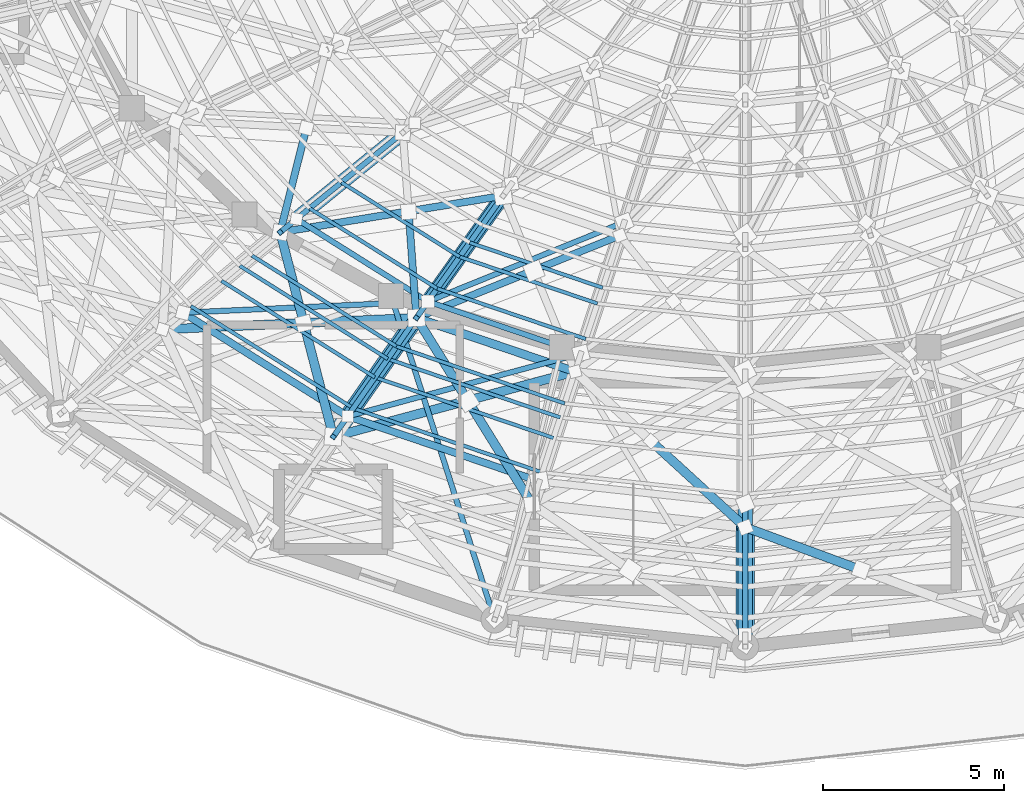
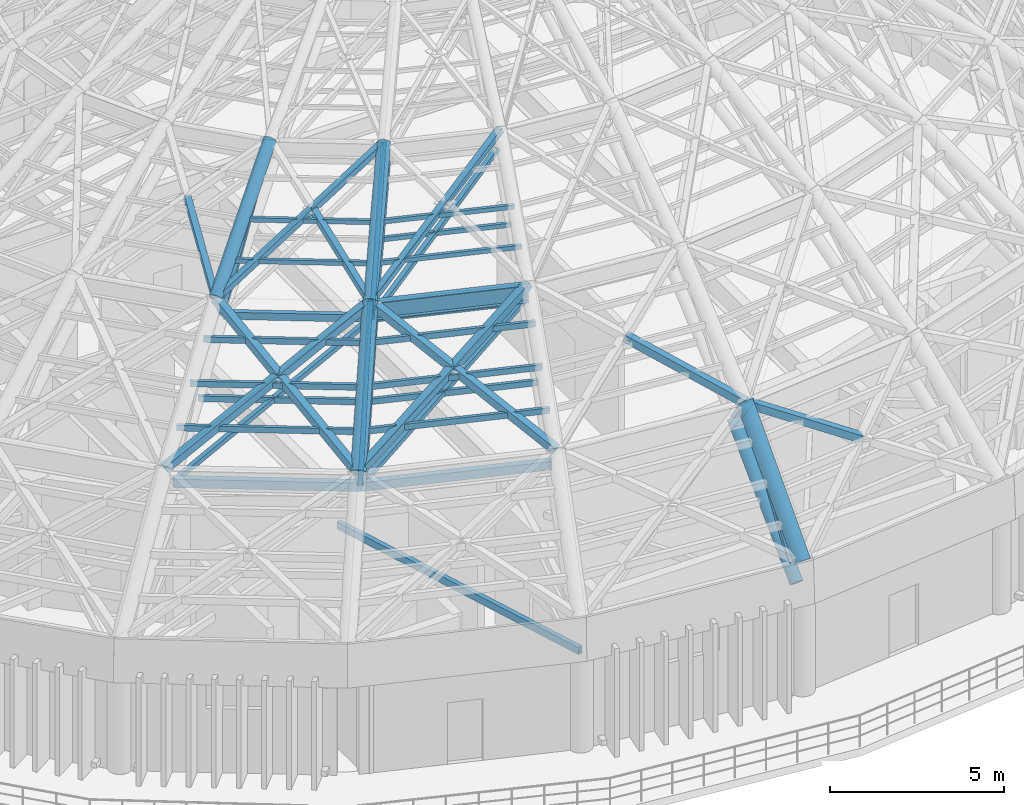
# One storey, part 3 of 50: 48 members, 1 beam.
"""IFC4 building model written with IfcOpenShell, lengths in metres."""

from ifc_helpers import new_model, si_unit, direction, frame, origin, origin_2d, place, context, subcontext, project, spatial, hollow_rectangle, hollow_circle, i_section, extrude, material, material_profile, profile_set, type_object, element, save


model = new_model("IFC4")

# Units and contexts
model_context = context("Model", 3, precision=1e-05, world=origin(), true_north=direction((0.0, 1.0)))
body_context = subcontext(model_context, "Body", "Model", "MODEL_VIEW")
ifc_project = project(units=[si_unit("LENGTHUNIT", "METRE"), si_unit("AREAUNIT", "SQUARE_METRE"), si_unit("VOLUMEUNIT", "CUBIC_METRE"), si_unit("PLANEANGLEUNIT", "RADIAN"), si_unit("MASSUNIT", "GRAM", prefix="KILO")], contexts=[model_context])

# Site, building, storey
site_placement = place(None, origin())
site = spatial("IfcSite", under=ifc_project, at=site_placement, CompositionType="ELEMENT")
building_placement = place(site_placement, origin())
building = spatial("IfcBuilding", under=site, at=building_placement, Name="Cinderbank Siding Concert Hall", CompositionType="ELEMENT")
storey_placement = place(building_placement, frame((0.0, 0.0, 23.699951171875)))
storey = spatial("IfcBuildingStorey", under=building, at=storey_placement, Name="L06", CompositionType="ELEMENT", Elevation=23.699951171875)

# Beam
ifc_material_1 = material(Name="Structural steel AS/NZS 3679.1 Grade 350 (340 MPa)", Category="steel")
ifc_material_profile_1 = material_profile(ifc_material_1, i_section(OverallWidth=0.22900390625, OverallDepth=0.611572265625, WebThickness=0.011962890625, FlangeThickness=0.01953125, at=origin_2d()), Name="610UB125", Category="LoadBearing")
ifc_profile_set_1 = profile_set([ifc_material_profile_1], Name="Structural steel AS/NZS 3679.1 Grade 350 (340 MPa)")
beam_type = type_object("IfcBeamType", Name="BM-UB610H 610UB125", PredefinedType="BEAM", material=ifc_profile_set_1)
beam_placement = place(storey_placement, frame((112.89990234375, 31.09619140625, 10.994140625), z_axis=(0.94703248812, -0.321137768636, 0.0), x_axis=(0.321137768636, 0.94703248812, 0.0)))
element("IfcBeam", 1, at=beam_placement, inside=storey, type_object=beam_type, Name="L06 Beam BM-UB610H #2066", PredefinedType="BEAM", context=body_context, shape_type="SweptSolid", body=[
    extrude(i_section(OverallWidth=0.22900390625, OverallDepth=0.611572265625, WebThickness=0.011962890625, FlangeThickness=0.01953125, at=origin_2d()), origin(), (0.0, 0.0, 1.0), 4.63525390625),
])

# Members
ifc_material_2 = material(Name="Structural steel hollow section AS/NZS 1163 Grade C350L0 (350 MPa)", Category="steel")
ifc_material_profile_2 = material_profile(ifc_material_2, hollow_rectangle(XDim=0.14990234375, YDim=0.14990234375, WallThickness=0.008056640625, at=origin_2d()), Name="150x150x8.0SHS", Category="LoadBearing")
ifc_profile_set_2 = profile_set([ifc_material_profile_2], Name="Structural steel hollow section AS/NZS 1163 Grade C350L0 (350 MPa)")
member_type_1 = type_object("IfcMemberType", Name="BR-SHS150 150x150x8.0SHS Roof Truss", PredefinedType="BRACE", material=ifc_profile_set_2)
member_1_placement = place(storey_placement, frame((122.0, 22.330078125, 3.550048828125), z_axis=(0.0, 0.546596682908, 0.837396003235), x_axis=(-1.0, 0.0, 0.0)))
element("IfcMember", 2, at=member_1_placement, inside=storey, type_object=member_type_1, Name="L06 Diagonal Brace BR-SHS150 #DWBD-BR-SHS150-L06-0746", PredefinedType="BRACE", context=body_context, shape_type="SweptSolid", body=[
    extrude(hollow_rectangle(XDim=0.14990234375, YDim=0.14990234375, WallThickness=0.008056640625, at=origin_2d()), origin(), (0.0, 0.0, 1.0), 5.43359375),
])
member_2_placement = place(storey_placement, frame((106.442138671875, 31.239990234375, 7.150146484375), z_axis=(0.903486566452, 0.041046856906, 0.426646434158), x_axis=(-0.045384804689, 0.998969578868, 0.0)))
element("IfcMember", 3, at=member_2_placement, inside=storey, type_object=member_type_1, Name="L06 Diagonal Brace BR-SHS150 #DBRI-BR-SHS150-L06-1007", PredefinedType="BRACE", context=body_context, shape_type="SweptSolid", body=[
    extrude(hollow_rectangle(XDim=0.14990234375, YDim=0.14990234375, WallThickness=0.008056640625, at=origin_2d()), origin(), (0.0, 0.0, 1.0), 7.500244140625),
])
member_3_placement = place(storey_placement, frame((110.9990234375, 28.3720703125, 7.150146484375), z_axis=(0.357602166858, 0.512474310018, 0.780698899596), x_axis=(-0.820080431066, 0.572248273551, 0.0)))
element("IfcMember", 4, at=member_3_placement, inside=storey, type_object=member_type_1, Name="L06 Diagonal Brace BR-SHS150 #DWBD-BR-SHS150-L06-1010", PredefinedType="BRACE", context=body_context, shape_type="SweptSolid", body=[
    extrude(hollow_rectangle(XDim=0.14990234375, YDim=0.14990234375, WallThickness=0.008056640625, at=origin_2d()), origin(), (0.0, 0.0, 1.0), 5.315673828125),
])
member_4_placement = place(storey_placement, frame((110.9990234375, 28.3720703125, 7.150146484375), z_axis=(-0.339263613147, -0.481903822592, 0.807879264845), x_axis=(0.817689723115, -0.575659201883, 0.0)))
element("IfcMember", 5, at=member_4_placement, inside=storey, type_object=member_type_1, Name="L06 Diagonal Brace BR-SHS150 #DWBV-BR-SHS150-L06-1013", PredefinedType="BRACE", context=body_context, shape_type="SweptSolid", body=[
    extrude(hollow_rectangle(XDim=0.14990234375, YDim=0.14990234375, WallThickness=0.008056640625, at=origin_2d()), origin(), (0.0, 0.0, 1.0), 1.17578125),
])
member_5_placement = place(storey_placement, frame((110.9990234375, 28.3720703125, 7.150146484375), z_axis=(0.870943219989, 0.234658276888, 0.431733020098), x_axis=(-0.260152884743, 0.965567437603, 0.0)))
element("IfcMember", 6, at=member_5_placement, inside=storey, type_object=member_type_1, Name="L06 Diagonal Brace BR-SHS150 #DBRI-BR-SHS150-L06-1019", PredefinedType="BRACE", context=body_context, shape_type="SweptSolid", body=[
    extrude(hollow_rectangle(XDim=0.14990234375, YDim=0.14990234375, WallThickness=0.008056640625, at=origin_2d()), origin(), (0.0, 0.0, 1.0), 7.411865234375),
])
member_6_placement = place(storey_placement, frame((122.0, 25.95458984375, 7.150146484375), z_axis=(0.0, -0.567381778042, 0.823454866976), x_axis=(1.0, 0.0, 0.0)))
element("IfcMember", 7, at=member_6_placement, inside=storey, type_object=member_type_1, Name="L06 Diagonal Brace BR-SHS150 #DWBV-BR-SHS150-L06-1037", PredefinedType="BRACE", context=body_context, shape_type="SweptSolid", body=[
    extrude(hollow_rectangle(XDim=0.14990234375, YDim=0.14990234375, WallThickness=0.008056640625, at=origin_2d()), origin(), (0.0, 0.0, 1.0), 1.153564453125),
])
member_7_placement = place(storey_placement, frame((109.5810546875, 33.8330078125, 10.35009765625), z_axis=(0.559402260271, 0.45390543328, 0.693569728898), x_axis=(-0.630083355632, 0.776527504314, 0.0)))
element("IfcMember", 8, at=member_7_placement, inside=storey, type_object=member_type_1, Name="L06 Diagonal Brace BR-SHS150 #DWBD-BR-SHS150-L06-1286", PredefinedType="BRACE", context=body_context, shape_type="SweptSolid", body=[
    extrude(hollow_rectangle(XDim=0.14990234375, YDim=0.14990234375, WallThickness=0.008056640625, at=origin_2d()), origin(), (0.0, 0.0, 1.0), 5.262451171875),
])
member_8_placement = place(storey_placement, frame((109.5810546875, 33.8330078125, 10.35009765625), z_axis=(-0.404280440723, -0.331093629232, 0.852604441655), x_axis=(0.633603073906, -0.773658286801, 0.0)))
element("IfcMember", 9, at=member_8_placement, inside=storey, type_object=member_type_1, Name="L06 Diagonal Brace BR-SHS150 #DWBV-BR-SHS150-L06-1289", PredefinedType="BRACE", context=body_context, shape_type="SweptSolid", body=[
    extrude(hollow_rectangle(XDim=0.14990234375, YDim=0.14990234375, WallThickness=0.008056640625, at=origin_2d()), origin(), (0.0, 0.0, 1.0), 1.1142578125),
])
member_9_placement = place(storey_placement, frame((113.218505859375, 31.5478515625, 10.35009765625), z_axis=(0.406548227024, 0.57143724521, 0.712866056065), x_axis=(-0.814825428758, 0.579706409011, 0.0)))
element("IfcMember", 10, at=member_9_placement, inside=storey, type_object=member_type_1, Name="L06 Diagonal Brace BR-SHS150 #DWBD-BR-SHS150-L06-1298", PredefinedType="BRACE", context=body_context, shape_type="SweptSolid", body=[
    extrude(hollow_rectangle(XDim=0.14990234375, YDim=0.14990234375, WallThickness=0.008056640625, at=origin_2d()), origin(), (0.0, 0.0, 1.0), 5.1201171875),
])
member_10_placement = place(storey_placement, frame((113.218505859375, 31.5478515625, 10.35009765625), z_axis=(-0.289889748337, -0.41095481565, 0.864337939294), x_axis=(0.817151439928, -0.57642304276, 0.0)))
element("IfcMember", 11, at=member_10_placement, inside=storey, type_object=member_type_1, Name="L06 Diagonal Brace BR-SHS150 #DWBV-BR-SHS150-L06-1301", PredefinedType="BRACE", context=body_context, shape_type="SweptSolid", body=[
    extrude(hollow_rectangle(XDim=0.14990234375, YDim=0.14990234375, WallThickness=0.008056640625, at=origin_2d()), origin(), (0.0, 0.0, 1.0), 1.09912109375),
])
member_11_placement = place(storey_placement, frame((113.218505859375, 31.5478515625, 10.35009765625), z_axis=(0.842011454203, 0.340647552066, 0.418301274517), x_axis=(-0.375035146546, 0.927010592634, 0.0)))
element("IfcMember", 12, at=member_11_placement, inside=storey, type_object=member_type_1, Name="L06 Diagonal Brace BR-SHS150 #DBRI-BR-SHS150-L06-1307", PredefinedType="BRACE", context=body_context, shape_type="SweptSolid", body=[
    extrude(hollow_rectangle(XDim=0.14990234375, YDim=0.14990234375, WallThickness=0.008056640625, at=origin_2d()), origin(), (0.0, 0.0, 1.0), 6.45458984375),
])
ifc_material_profile_3 = material_profile(ifc_material_2, hollow_rectangle(XDim=0.199951171875, YDim=0.199951171875, WallThickness=0.009033203125, at=origin_2d()), Name="200x200x9.0SHS", Category="LoadBearing")
ifc_profile_set_3 = profile_set([ifc_material_profile_3], Name="Structural steel hollow section AS/NZS 1163 Grade C350L0 (350 MPa)")
member_type_2 = type_object("IfcMemberType", Name="BR-SHS200 200x200x9.0SHS Roof Truss", PredefinedType="BRACE", material=ifc_profile_set_3)
member_12_placement = place(storey_placement, frame((109.130615234375, 33.464111328125, 11.300048828125), z_axis=(0.21609386443, 0.860515338134, 0.461320706876), x_axis=(-0.969886034318, 0.243559192875, 0.0)))
element("IfcMember", 13, at=member_12_placement, inside=storey, type_object=member_type_2, Name="L06 Diagonal Brace BR-SHS200 #DBRO-BR-SHS200-L06-1282", PredefinedType="BRACE", context=body_context, shape_type="SweptSolid", body=[
    extrude(hollow_rectangle(XDim=0.199951171875, YDim=0.199951171875, WallThickness=0.009033203125, at=origin_2d()), origin(), (0.0, 0.0, 1.0), 3.35205078125),
])
member_13_placement = place(storey_placement, frame((109.130615234375, 33.464111328125, 11.300048828125), z_axis=(0.905989343653, 0.148249542382, 0.396491339591), x_axis=(-0.161485110402, 0.986875148698, 0.0)))
element("IfcMember", 14, at=member_13_placement, inside=storey, type_object=member_type_2, Name="L06 Diagonal Brace BR-SHS200 #DBRO-BR-SHS200-L06-1293", PredefinedType="BRACE", context=body_context, shape_type="SweptSolid", body=[
    extrude(hollow_rectangle(XDim=0.199951171875, YDim=0.199951171875, WallThickness=0.009033203125, at=origin_2d()), origin(), (0.0, 0.0, 1.0), 6.8095703125),
])
member_14_placement = place(storey_placement, frame((112.89990234375, 31.09619140625, 11.300048828125), z_axis=(-0.064591416256, 0.882920620616, 0.465058197043), x_axis=(-0.997334753745, -0.072961558176, 0.0)))
element("IfcMember", 15, at=member_14_placement, inside=storey, type_object=member_type_2, Name="L06 Diagonal Brace BR-SHS200 #DBRO-BR-SHS200-L06-1294", PredefinedType="BRACE", context=body_context, shape_type="SweptSolid", body=[
    extrude(hollow_rectangle(XDim=0.199951171875, YDim=0.199951171875, WallThickness=0.009033203125, at=origin_2d()), origin(), (0.0, 0.0, 1.0), 3.326171875),
])
member_15_placement = place(storey_placement, frame((112.89990234375, 31.09619140625, 11.300048828125), z_axis=(0.84711611979, 0.342731695249, 0.406114841718), x_axis=(-0.375052994195, 0.927003371917, 0.0)))
element("IfcMember", 16, at=member_15_placement, inside=storey, type_object=member_type_2, Name="L06 Diagonal Brace BR-SHS200 #DBRO-BR-SHS200-L06-1305", PredefinedType="BRACE", context=body_context, shape_type="SweptSolid", body=[
    extrude(hollow_rectangle(XDim=0.199951171875, YDim=0.199951171875, WallThickness=0.009033203125, at=origin_2d()), origin(), (0.0, 0.0, 1.0), 6.648193359375),
])
ifc_material_profile_4 = material_profile(ifc_material_2, hollow_rectangle(XDim=0.25, YDim=0.25, WallThickness=0.010009765625, at=origin_2d()), Name="250x250x10.0SHS", Category="LoadBearing")
ifc_profile_set_4 = profile_set([ifc_material_profile_4], Name="Structural steel hollow section AS/NZS 1163 Grade C350L0 (350 MPa)")
member_type_3 = type_object("IfcMemberType", Name="BR-SHS250 250x250x10.0SHS Roof Truss", PredefinedType="BRACE", material=ifc_profile_set_4)
member_16_placement = place(storey_placement, frame((125.176025390625, 24.13232421875, 6.45166015625), z_axis=(-0.843778989622, 0.310230986806, 0.437942634939), x_axis=(-0.345083403206, -0.938572024318, 0.0)))
element("IfcMember", 17, at=member_16_placement, inside=storey, type_object=member_type_3, Name="L06 Diagonal Brace BR-SHS250 #DBRO-BR-SHS250-L06-0754-S75", PredefinedType="BRACE", context=body_context, shape_type="SweptSolid", body=[
    extrude(hollow_rectangle(XDim=0.25, YDim=0.25, WallThickness=0.010009765625, at=origin_2d()), origin(), (0.0, 0.0, 1.0), 3.76416015625),
])
member_17_placement = place(storey_placement, frame((105.8779296875, 30.777099609375, 8.10009765625), z_axis=(0.909191444617, 0.041315388989, 0.414323491572), x_axis=(-0.045395057045, 0.998969113034, 0.0)))
element("IfcMember", 18, at=member_17_placement, inside=storey, type_object=member_type_3, Name="L06 Diagonal Brace BR-SHS250 #DBRO-BR-SHS250-L06-1005", PredefinedType="BRACE", context=body_context, shape_type="SweptSolid", body=[
    extrude(hollow_rectangle(XDim=0.25, YDim=0.25, WallThickness=0.010009765625, at=origin_2d()), origin(), (0.0, 0.0, 1.0), 7.723388671875),
])
member_18_placement = place(storey_placement, frame((110.60009765625, 27.805419921875, 8.10009765625), z_axis=(-0.220459199995, 0.849048864989, 0.480118491624), x_axis=(-0.967903941428, -0.25132043325, 0.0)))
element("IfcMember", 19, at=member_18_placement, inside=storey, type_object=member_type_3, Name="L06 Diagonal Brace BR-SHS250 #DBRO-BR-SHS250-L06-1006", PredefinedType="BRACE", context=body_context, shape_type="SweptSolid", body=[
    extrude(hollow_rectangle(XDim=0.25, YDim=0.25, WallThickness=0.010009765625, at=origin_2d()), origin(), (0.0, 0.0, 1.0), 3.693359375),
])
member_19_placement = place(storey_placement, frame((109.779296875, 30.966552734375, 9.8876953125), z_axis=(-0.220515942132, 0.849032024093, 0.480122214993), x_axis=(-0.967886991631, -0.251385702519, 0.0)))
element("IfcMember", 20, at=member_19_placement, inside=storey, type_object=member_type_3, Name="L06 Diagonal Brace BR-SHS250 #DBRO-BR-SHS250-L06-1006-S96", PredefinedType="BRACE", context=body_context, shape_type="SweptSolid", body=[
    extrude(hollow_rectangle(XDim=0.25, YDim=0.25, WallThickness=0.010009765625, at=origin_2d()), origin(), (0.0, 0.0, 1.0), 2.941650390625),
])
member_20_placement = place(storey_placement, frame((110.60009765625, 27.805419921875, 8.10009765625), z_axis=(0.87658241106, 0.236165378045, 0.419319914663), x_axis=(-0.260140287544, 0.965570831579, 0.0)))
element("IfcMember", 21, at=member_20_placement, inside=storey, type_object=member_type_3, Name="L06 Diagonal Brace BR-SHS250 #DBRO-BR-SHS250-L06-1017", PredefinedType="BRACE", context=body_context, shape_type="SweptSolid", body=[
    extrude(hollow_rectangle(XDim=0.25, YDim=0.25, WallThickness=0.010009765625, at=origin_2d()), origin(), (0.0, 0.0, 1.0), 7.63134765625),
])
member_21_placement = place(storey_placement, frame((116.098876953125, 25.937255859375, 8.10009765625), z_axis=(-0.466188429807, 0.751809109667, 0.466316856372), x_axis=(-0.849868880938, -0.526994198463, 0.0)))
element("IfcMember", 22, at=member_21_placement, inside=storey, type_object=member_type_3, Name="L06 Diagonal Brace BR-SHS250 #DBRO-BR-SHS250-L06-1018", PredefinedType="BRACE", context=body_context, shape_type="SweptSolid", body=[
    extrude(hollow_rectangle(XDim=0.25, YDim=0.25, WallThickness=0.010009765625, at=origin_2d()), origin(), (0.0, 0.0, 1.0), 3.802001953125),
])
member_22_placement = place(storey_placement, frame((114.3125, 28.818115234375, 9.886962890625), z_axis=(-0.466179092517, 0.751800399634, 0.466340232888), x_axis=(-0.849870873879, -0.526990984489, 0.0)))
element("IfcMember", 23, at=member_22_placement, inside=storey, type_object=member_type_3, Name="L06 Diagonal Brace BR-SHS250 #DBRO-BR-SHS250-L06-1018-S97", PredefinedType="BRACE", context=body_context, shape_type="SweptSolid", body=[
    extrude(hollow_rectangle(XDim=0.25, YDim=0.25, WallThickness=0.010009765625, at=origin_2d()), origin(), (0.0, 0.0, 1.0), 3.0302734375),
])
member_23_placement = place(storey_placement, frame((122.0, 25.300048828125, 8.10009765625), z_axis=(-0.659696938246, 0.603292541468, 0.448149594531), x_axis=(-0.674855139441, -0.737950229196, 0.0)))
element("IfcMember", 24, at=member_23_placement, inside=storey, type_object=member_type_3, Name="L06 Diagonal Brace BR-SHS250 #DBRO-BR-SHS250-L06-1030", PredefinedType="BRACE", context=body_context, shape_type="SweptSolid", body=[
    extrude(hollow_rectangle(XDim=0.25, YDim=0.25, WallThickness=0.010009765625, at=origin_2d()), origin(), (0.0, 0.0, 1.0), 3.9560546875),
])
ifc_material_profile_5 = material_profile(ifc_material_2, hollow_circle(Radius=0.161865234375, WallThickness=0.0126953125, at=origin_2d()), Name="323.9x12.7CHS", Category="LoadBearing")
ifc_profile_set_5 = profile_set([ifc_material_profile_5], Name="Structural steel hollow section AS/NZS 1163 Grade C350L0 (350 MPa)")
member_type_4 = type_object("IfcMemberType", Name="DR-CHS323 323.9x12.7CHS Roof Truss", PredefinedType="RAFTER", material=ifc_profile_set_5)
member_24_placement = place(storey_placement, frame((113.218505859375, 31.5478515625, 10.35009765625), z_axis=(0.480029640001, 0.675563535105, 0.55962974792), x_axis=(-0.815166751467, 0.57922635239, 0.0)))
element("IfcMember", 25, at=member_24_placement, inside=storey, type_object=member_type_4, Name="L06 Roof Truss Member DR-CHS323 #1297", PredefinedType="RAFTER", context=body_context, shape_type="SweptSolid", body=[
    extrude(hollow_circle(Radius=0.161865234375, WallThickness=0.0126953125, at=origin_2d()), origin(), (0.0, 0.0, 1.0), 4.824462890625),
])
ifc_material_profile_6 = material_profile(ifc_material_2, hollow_circle(Radius=0.177734375, WallThickness=0.0126953125, at=origin_2d()), Name="355.6x12.7CHS", Category="LoadBearing")
ifc_profile_set_6 = profile_set([ifc_material_profile_6], Name="Structural steel hollow section AS/NZS 1163 Grade C350L0 (350 MPa)")
member_type_5 = type_object("IfcMemberType", Name="DR-CHS355 355.6x12.7CHS Roof Truss", PredefinedType="RAFTER", material=ifc_profile_set_6)
member_25_placement = place(storey_placement, frame((110.9990234375, 28.3720703125, 7.150146484375), z_axis=(0.441681473621, 0.631986867107, 0.636796730256), x_axis=(-0.819663892962, 0.572844745612, 0.0)))
element("IfcMember", 26, at=member_25_placement, inside=storey, type_object=member_type_5, Name="L06 Roof Truss Member DR-CHS355 #1009", PredefinedType="RAFTER", context=body_context, shape_type="SweptSolid", body=[
    extrude(hollow_circle(Radius=0.177734375, WallThickness=0.0126953125, at=origin_2d()), origin(), (0.0, 0.0, 1.0), 5.025146484375),
])
ifc_material_profile_7 = material_profile(ifc_material_2, hollow_circle(Radius=0.203125, WallThickness=0.01611328125, at=origin_2d()), Name="406.4x16.0CHS", Category="LoadBearing")
ifc_profile_set_7 = profile_set([ifc_material_profile_7], Name="Structural steel hollow section AS/NZS 1163 Grade C350L0 (350 MPa)")
member_type_6 = type_object("IfcMemberType", Name="DR-CHS406 406.4x16.0CHS Roof Truss", PredefinedType="RAFTER", material=ifc_profile_set_7)
member_26_placement = place(storey_placement, frame((122.0, 22.330078125, 3.550048828125), z_axis=(0.0, 0.709492250212, 0.704713237345), x_axis=(-1.0, 0.0, 0.0)))
element("IfcMember", 27, at=member_26_placement, inside=storey, type_object=member_type_6, Name="L06 Roof Truss Member DR-CHS406 #745", PredefinedType="RAFTER", context=body_context, shape_type="SweptSolid", body=[
    extrude(hollow_circle(Radius=0.203125, WallThickness=0.01611328125, at=origin_2d()), origin(), (0.0, 0.0, 1.0), 5.108642578125),
])
member_27_placement = place(storey_placement, frame((109.130615234375, 33.464111328125, 11.300048828125), z_axis=(0.66042333152, 0.536537547977, 0.525327024619), x_axis=(-0.630552692376, 0.776146443745, 0.0)))
element("IfcMember", 28, at=member_27_placement, inside=storey, type_object=member_type_6, Name="L06 Roof Truss Member DR-CHS406 #1284", PredefinedType="RAFTER", context=body_context, shape_type="SweptSolid", body=[
    extrude(hollow_circle(Radius=0.203125, WallThickness=0.01611328125, at=origin_2d()), origin(), (0.0, 0.0, 1.0), 5.1396484375),
])
member_28_placement = place(storey_placement, frame((112.89990234375, 31.09619140625, 11.300048828125), z_axis=(0.485323447255, 0.682938111008, 0.545945682351), x_axis=(-0.815136478284, 0.579268954606, 0.0)))
element("IfcMember", 29, at=member_28_placement, inside=storey, type_object=member_type_6, Name="L06 Roof Truss Member DR-CHS406 #1296", PredefinedType="RAFTER", context=body_context, shape_type="SweptSolid", body=[
    extrude(hollow_circle(Radius=0.203125, WallThickness=0.01611328125, at=origin_2d()), origin(), (0.0, 0.0, 1.0), 4.945556640625),
])
ifc_material_profile_8 = material_profile(ifc_material_2, hollow_circle(Radius=0.228515625, WallThickness=0.01611328125, at=origin_2d()), Name="457.0x16.0CHS", Category="LoadBearing")
ifc_profile_set_8 = profile_set([ifc_material_profile_8], Name="Structural steel hollow section AS/NZS 1163 Grade C350L0 (350 MPa)")
member_type_7 = type_object("IfcMemberType", Name="DR-CHS457 457.0x16.0CHS Roof Truss", PredefinedType="RAFTER", material=ifc_profile_set_8)
member_29_placement = place(storey_placement, frame((110.60009765625, 27.805419921875, 8.10009765625), z_axis=(0.447955638563, 0.640976014033, 0.623286046141), x_axis=(-0.819668785682, 0.572837744723, 0.0)))
element("IfcMember", 30, at=member_29_placement, inside=storey, type_object=member_type_7, Name="L06 Roof Truss Member DR-CHS457 #1008", PredefinedType="RAFTER", context=body_context, shape_type="SweptSolid", body=[
    extrude(hollow_circle(Radius=0.228515625, WallThickness=0.01611328125, at=origin_2d()), origin(), (0.0, 0.0, 1.0), 5.134033203125),
])
ifc_material_profile_9 = material_profile(ifc_material_2, hollow_circle(Radius=0.25390625, WallThickness=0.01611328125, at=origin_2d()), Name="508.0x16.0CHS", Category="LoadBearing")
ifc_profile_set_9 = profile_set([ifc_material_profile_9], Name="Structural steel hollow section AS/NZS 1163 Grade C350L0 (350 MPa)")
member_type_8 = type_object("IfcMemberType", Name="DR-CHS508 508.0x16.0CHS Roof Truss", PredefinedType="RAFTER", material=ifc_profile_set_9)
member_30_placement = place(storey_placement, frame((122.0, 22.0, 4.5), z_axis=(0.0, 0.675720101073, 0.737158290332), x_axis=(-1.0, 0.0, 0.0)))
element("IfcMember", 31, at=member_30_placement, inside=storey, type_object=member_type_8, Name="L06 Roof Truss Member DR-CHS508 #744", PredefinedType="RAFTER", context=body_context, shape_type="SweptSolid", body=[
    extrude(hollow_circle(Radius=0.25390625, WallThickness=0.01611328125, at=origin_2d()), origin(), (0.0, 0.0, 1.0), 4.8837890625),
])
ifc_material_profile_10 = material_profile(ifc_material_2, hollow_rectangle(XDim=0.10009765625, YDim=0.14990234375, WallThickness=0.006103515625, at=origin_2d()), Name="150x100x6.0RHS", Category="LoadBearing")
ifc_profile_set_10 = profile_set([ifc_material_profile_10], Name="Structural steel hollow section AS/NZS 1163 Grade C350L0 (350 MPa)")
member_type_9 = type_object("IfcMemberType", Name="PR-RHS150 150x100x6.0RHS Roof Truss", PredefinedType="PURLIN", material=ifc_profile_set_10)
member_31_placement = place(storey_placement, frame((109.9453125, 34.1259765625, 11.947998046875), z_axis=(0.84664709978, -0.532154759853, 0.0), x_axis=(0.532154759853, 0.84664709978, 0.0)))
element("IfcMember", 32, at=member_31_placement, inside=storey, type_object=member_type_9, Name="L06 Roof Truss Member PR-RHS150 #1290", PredefinedType="PURLIN", context=body_context, shape_type="SweptSolid", body=[
    extrude(hollow_rectangle(XDim=0.10009765625, YDim=0.14990234375, WallThickness=0.006103515625, at=origin_2d()), origin(), (0.0, 0.0, 1.0), 4.170166015625),
])
member_32_placement = place(storey_placement, frame((110.827880859375, 34.843017578125, 12.650146484375), z_axis=(0.8464869209, -0.532409516018, 0.0), x_axis=(0.532409516018, 0.8464869209, 0.0)))
element("IfcMember", 33, at=member_32_placement, inside=storey, type_object=member_type_9, Name="L06 Roof Truss Member PR-RHS150 #1291", PredefinedType="PURLIN", context=body_context, shape_type="SweptSolid", body=[
    extrude(hollow_rectangle(XDim=0.10009765625, YDim=0.14990234375, WallThickness=0.006103515625, at=origin_2d()), origin(), (0.0, 0.0, 1.0), 3.86572265625),
])
member_33_placement = place(storey_placement, frame((114.37646484375, 33.177490234375, 11.699951171875), z_axis=(0.946908313613, -0.321503725655, 0.0), x_axis=(0.321503725655, 0.946908313613, 0.0)))
element("IfcMember", 34, at=member_33_placement, inside=storey, type_object=member_type_9, Name="L06 Roof Truss Member PR-RHS150 #1300", PredefinedType="PURLIN", context=body_context, shape_type="SweptSolid", body=[
    extrude(hollow_rectangle(XDim=0.10009765625, YDim=0.14990234375, WallThickness=0.006103515625, at=origin_2d()), origin(), (0.0, 0.0, 1.0), 3.883544921875),
])
member_34_placement = place(storey_placement, frame((113.47607421875, 31.90673828125, 11.947998046875), z_axis=(0.94697717274, -0.321300847042, 0.0), x_axis=(0.321300847042, 0.94697717274, 0.0)))
element("IfcMember", 35, at=member_34_placement, inside=storey, type_object=member_type_9, Name="L06 Roof Truss Member PR-RHS150 #1302", PredefinedType="PURLIN", context=body_context, shape_type="SweptSolid", body=[
    extrude(hollow_rectangle(XDim=0.10009765625, YDim=0.14990234375, WallThickness=0.006103515625, at=origin_2d()), origin(), (0.0, 0.0, 1.0), 4.341796875),
])
member_35_placement = place(storey_placement, frame((114.10009765625, 32.784912109375, 12.650146484375), z_axis=(0.946915393689, -0.321482872319, 0.0), x_axis=(0.321482872319, 0.946915393689, 0.0)))
element("IfcMember", 36, at=member_35_placement, inside=storey, type_object=member_type_9, Name="L06 Roof Truss Member PR-RHS150 #1303", PredefinedType="PURLIN", context=body_context, shape_type="SweptSolid", body=[
    extrude(hollow_rectangle(XDim=0.10009765625, YDim=0.14990234375, WallThickness=0.006103515625, at=origin_2d()), origin(), (0.0, 0.0, 1.0), 4.024169921875),
])
ifc_material_profile_11 = material_profile(ifc_material_2, hollow_rectangle(XDim=0.10009765625, YDim=0.199951171875, WallThickness=0.008056640625, at=origin_2d()), Name="200x100x8.0RHS", Category="LoadBearing")
ifc_profile_set_11 = profile_set([ifc_material_profile_11], Name="Structural steel hollow section AS/NZS 1163 Grade C350L0 (350 MPa)")
member_type_10 = type_object("IfcMemberType", Name="PR-RHS200 200x100x8.0RHS Roof Truss", PredefinedType="PURLIN", material=ifc_profile_set_11)
member_36_placement = place(storey_placement, frame((108.01171875, 32.536376953125, 8.75), z_axis=(0.846538481915, -0.532327529475, 0.0), x_axis=(0.532327529475, 0.846538481915, 0.0)))
element("IfcMember", 37, at=member_36_placement, inside=storey, type_object=member_type_10, Name="L06 Roof Truss Member PR-RHS200 #1000", PredefinedType="PURLIN", context=body_context, shape_type="SweptSolid", body=[
    extrude(hollow_rectangle(XDim=0.10009765625, YDim=0.199951171875, WallThickness=0.008056640625, at=origin_2d()), origin(), (0.0, 0.0, 1.0), 4.83984375),
])
member_37_placement = place(storey_placement, frame((106.65869140625, 31.422119140625, 8.8681640625), z_axis=(0.846426317262, -0.532505858602, 0.0), x_axis=(0.532505858602, 0.846426317262, 0.0)))
element("IfcMember", 38, at=member_37_placement, inside=storey, type_object=member_type_10, Name="L06 Roof Truss Member PR-RHS200 #1002", PredefinedType="PURLIN", context=body_context, shape_type="SweptSolid", body=[
    extrude(hollow_rectangle(XDim=0.10009765625, YDim=0.199951171875, WallThickness=0.008056640625, at=origin_2d()), origin(), (0.0, 0.0, 1.0), 5.30859375),
])
member_38_placement = place(storey_placement, frame((107.50439453125, 32.12060546875, 9.699951171875), z_axis=(0.846523734458, -0.532350981026, 0.0), x_axis=(0.532350981026, 0.846523734458, 0.0)))
element("IfcMember", 39, at=member_38_placement, inside=storey, type_object=member_type_10, Name="L06 Roof Truss Member PR-RHS200 #1003", PredefinedType="PURLIN", context=body_context, shape_type="SweptSolid", body=[
    extrude(hollow_rectangle(XDim=0.10009765625, YDim=0.199951171875, WallThickness=0.008056640625, at=origin_2d()), origin(), (0.0, 0.0, 1.0), 5.015380859375),
])
member_39_placement = place(storey_placement, frame((108.35009765625, 32.819091796875, 10.531982421875), z_axis=(0.846656516305, -0.532139778065, 0.0), x_axis=(0.532139778065, 0.846656516305, 0.0)))
element("IfcMember", 40, at=member_39_placement, inside=storey, type_object=member_type_10, Name="L06 Roof Truss Member PR-RHS200 #1004", PredefinedType="PURLIN", context=body_context, shape_type="SweptSolid", body=[
    extrude(hollow_rectangle(XDim=0.10009765625, YDim=0.199951171875, WallThickness=0.008056640625, at=origin_2d()), origin(), (0.0, 0.0, 1.0), 4.721923828125),
])
member_40_placement = place(storey_placement, frame((112.10888671875, 29.9599609375, 8.75), z_axis=(0.94692445284, -0.321456187705, 0.0), x_axis=(0.321456187705, 0.94692445284, 0.0)))
element("IfcMember", 41, at=member_40_placement, inside=storey, type_object=member_type_10, Name="L06 Roof Truss Member PR-RHS200 #1012", PredefinedType="PURLIN", context=body_context, shape_type="SweptSolid", body=[
    extrude(hollow_rectangle(XDim=0.10009765625, YDim=0.199951171875, WallThickness=0.008056640625, at=origin_2d()), origin(), (0.0, 0.0, 1.0), 5.038330078125),
])
member_41_placement = place(storey_placement, frame((111.152099609375, 28.59521484375, 8.8681640625), z_axis=(0.946878796549, -0.321590647634, 0.0), x_axis=(0.321590647634, 0.946878796549, 0.0)))
element("IfcMember", 42, at=member_41_placement, inside=storey, type_object=member_type_10, Name="L06 Roof Truss Member PR-RHS200 #1014", PredefinedType="PURLIN", context=body_context, shape_type="SweptSolid", body=[
    extrude(hollow_rectangle(XDim=0.10009765625, YDim=0.199951171875, WallThickness=0.008056640625, at=origin_2d()), origin(), (0.0, 0.0, 1.0), 5.52587890625),
])
member_42_placement = place(storey_placement, frame((111.75, 29.45068359375, 9.699951171875), z_axis=(0.946934231259, -0.321427381644, 0.0), x_axis=(0.321427381644, 0.946934231259, 0.0)))
element("IfcMember", 43, at=member_42_placement, inside=storey, type_object=member_type_10, Name="L06 Roof Truss Member PR-RHS200 #1015", PredefinedType="PURLIN", context=body_context, shape_type="SweptSolid", body=[
    extrude(hollow_rectangle(XDim=0.10009765625, YDim=0.199951171875, WallThickness=0.008056640625, at=origin_2d()), origin(), (0.0, 0.0, 1.0), 5.22119140625),
])
member_43_placement = place(storey_placement, frame((112.347900390625, 30.306396484375, 10.531982421875), z_axis=(0.946986523989, -0.321273284579, 0.0), x_axis=(0.321273284579, 0.946986523989, 0.0)))
element("IfcMember", 44, at=member_43_placement, inside=storey, type_object=member_type_10, Name="L06 Roof Truss Member PR-RHS200 #1016", PredefinedType="PURLIN", context=body_context, shape_type="SweptSolid", body=[
    extrude(hollow_rectangle(XDim=0.10009765625, YDim=0.199951171875, WallThickness=0.008056640625, at=origin_2d()), origin(), (0.0, 0.0, 1.0), 4.916748046875),
])
ifc_material_profile_12 = material_profile(ifc_material_2, hollow_rectangle(XDim=0.14990234375, YDim=0.25, WallThickness=0.009033203125, at=origin_2d()), Name="250x150x9.0RHS", Category="LoadBearing")
ifc_profile_set_12 = profile_set([ifc_material_profile_12], Name="Structural steel hollow section AS/NZS 1163 Grade C350L0 (350 MPa)")
member_type_11 = type_object("IfcMemberType", Name="PR-RHS250 250x150x9.0RHS Roof Truss", PredefinedType="PURLIN", material=ifc_profile_set_12)
member_44_placement = place(storey_placement, frame((109.5810546875, 33.8330078125, 10.35009765625), z_axis=(0.846766752739, -0.531964346979, 0.0), x_axis=(0.531964346979, 0.846766752739, 0.0)))
element("IfcMember", 45, at=member_44_placement, inside=storey, type_object=member_type_11, Name="L06 Roof Truss Member PR-RHS250 #999", PredefinedType="PURLIN", context=body_context, shape_type="SweptSolid", body=[
    extrude(hollow_rectangle(XDim=0.14990234375, YDim=0.25, WallThickness=0.009033203125, at=origin_2d()), origin(), (0.0, 0.0, 1.0), 4.295654296875),
])
member_45_placement = place(storey_placement, frame((113.218505859375, 31.5478515625, 10.35009765625), z_axis=(0.947021990072, -0.321168725625, 0.0), x_axis=(0.321168725625, 0.947021990072, 0.0)))
element("IfcMember", 46, at=member_45_placement, inside=storey, type_object=member_type_11, Name="L06 Roof Truss Member PR-RHS250 #1011", PredefinedType="PURLIN", context=body_context, shape_type="SweptSolid", body=[
    extrude(hollow_rectangle(XDim=0.14990234375, YDim=0.25, WallThickness=0.009033203125, at=origin_2d()), origin(), (0.0, 0.0, 1.0), 4.472900390625),
])
ifc_material_profile_13 = material_profile(ifc_material_2, hollow_rectangle(XDim=0.199951171875, YDim=0.300048828125, WallThickness=0.010009765625, at=origin_2d()), Name="300x200x10.0RHS", Category="LoadBearing")
ifc_profile_set_13 = profile_set([ifc_material_profile_13], Name="Structural steel hollow section AS/NZS 1163 Grade C350L0 (350 MPa)")
member_type_12 = type_object("IfcMemberType", Name="PR-RHS300 300x200x10.0RHS Roof Truss", PredefinedType="PURLIN", material=ifc_profile_set_13)
member_46_placement = place(storey_placement, frame((106.442138671875, 31.239990234375, 7.150146484375), z_axis=(0.846335804731, -0.532649702554, 0.0), x_axis=(0.532649702554, 0.846335804731, 0.0)))
element("IfcMember", 47, at=member_46_placement, inside=storey, type_object=member_type_12, Name="L06 Roof Truss Member PR-RHS300 #711", PredefinedType="PURLIN", context=body_context, shape_type="SweptSolid", body=[
    extrude(hollow_rectangle(XDim=0.199951171875, YDim=0.300048828125, WallThickness=0.010009765625, at=origin_2d()), origin(), (0.0, 0.0, 1.0), 5.38427734375),
])
member_47_placement = place(storey_placement, frame((110.9990234375, 28.3720703125, 7.150146484375), z_axis=(0.946851049731, -0.321672332699, 0.0), x_axis=(0.321672332699, 0.946851049731, 0.0)))
element("IfcMember", 48, at=member_47_placement, inside=storey, type_object=member_type_12, Name="L06 Roof Truss Member PR-RHS300 #723", PredefinedType="PURLIN", context=body_context, shape_type="SweptSolid", body=[
    extrude(hollow_rectangle(XDim=0.199951171875, YDim=0.300048828125, WallThickness=0.010009765625, at=origin_2d()), origin(), (0.0, 0.0, 1.0), 5.604248046875),
])
ifc_material_profile_14 = material_profile(ifc_material_2, hollow_rectangle(XDim=0.14990234375, YDim=0.25, WallThickness=0.009033203125, at=origin_2d()), Name="250x150x9.0RHS", Category="LoadBearing")
ifc_profile_set_14 = profile_set([ifc_material_profile_14], Name="Structural steel hollow section AS/NZS 1163 Grade C350L0 (350 MPa)")
member_type_13 = type_object("IfcMemberType", Name="TR-RHS250 250x150x9.0RHS Roof Truss", PredefinedType="RAFTER", material=ifc_profile_set_14)
member_48_placement = place(storey_placement, frame((112.199951171875, 31.702392578125, 3.35009765625), z_axis=(0.304664519425, -0.952459726499, 0.0), x_axis=(0.952459726499, 0.304664519425, 0.0)))
element("IfcMember", 49, at=member_48_placement, inside=storey, type_object=member_type_13, Name="L06 Roof Truss Member TR-RHS250 #2360", PredefinedType="RAFTER", context=body_context, shape_type="SweptSolid", body=[
    extrude(hollow_rectangle(XDim=0.14990234375, YDim=0.25, WallThickness=0.009033203125, at=origin_2d()), origin(), (0.0, 0.0, 1.0), 9.399658203125),
])

save(model, "model.ifc")
